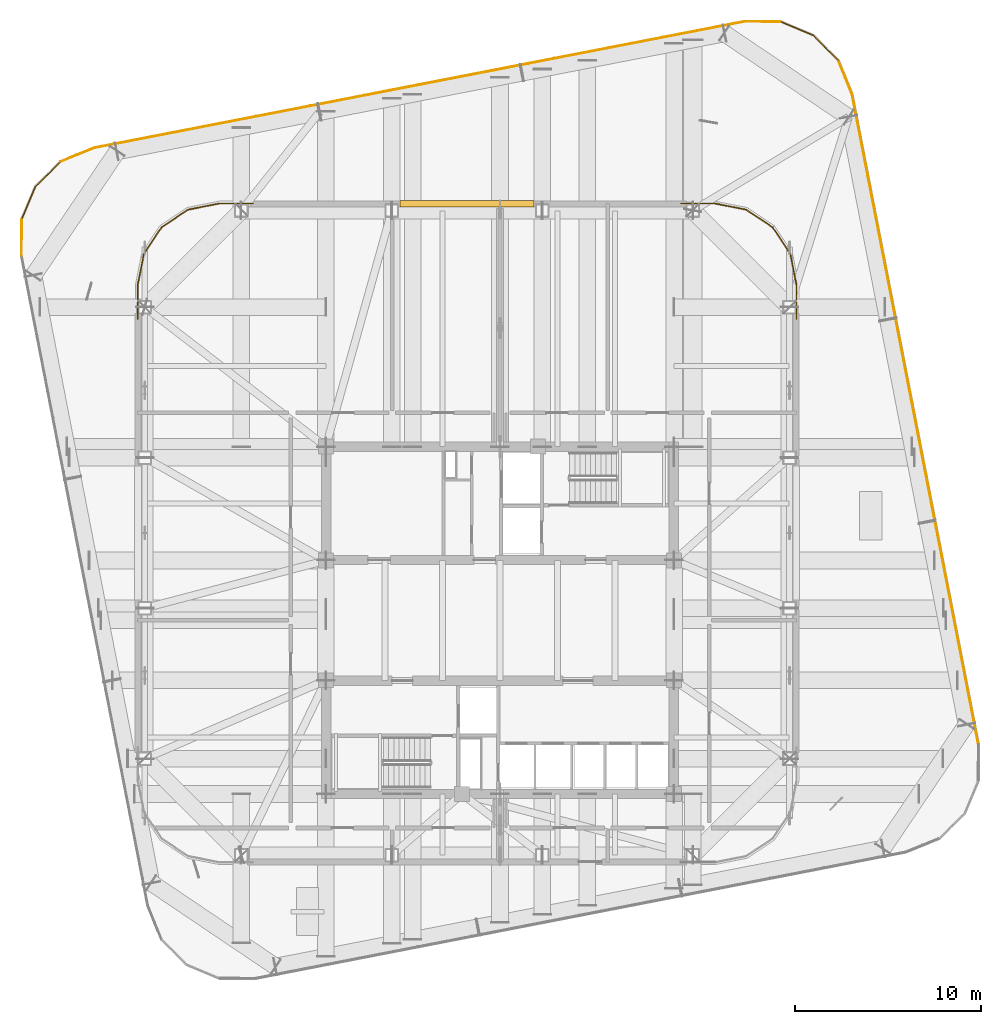
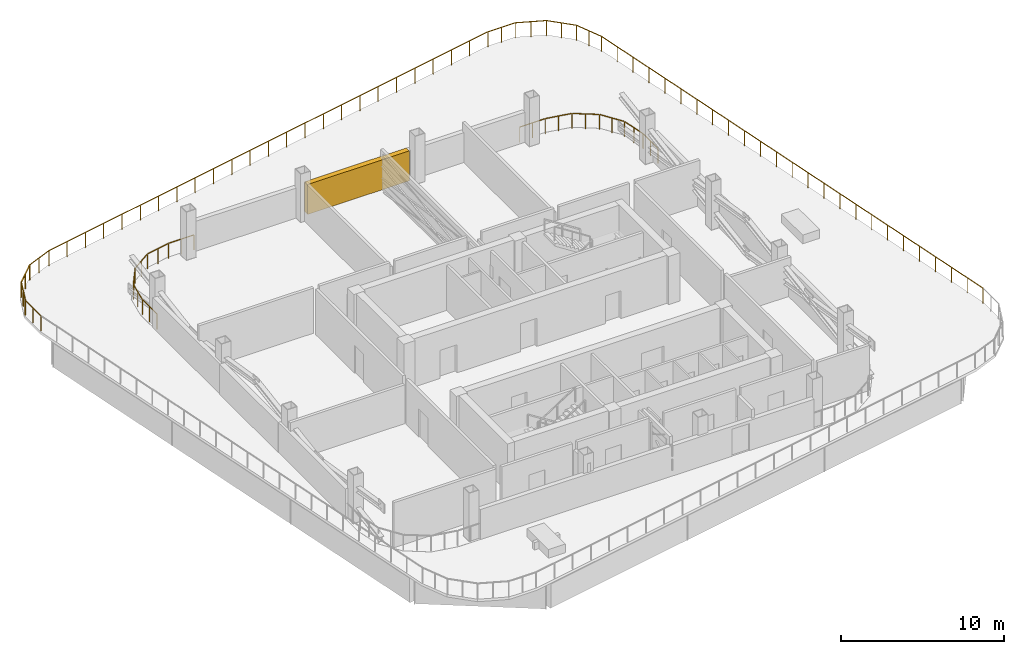
# One storey, part 14 of 14: 12 railings, 1 shading device.
"""IFC4 building model written with IfcOpenShell, lengths in metres."""

from ifc_helpers import new_model, si_unit, direction, frame, origin, origin_2d, place, context, subcontext, project, spatial, rectangle, extrude, material, type_object, element, save


model = new_model("IFC4")

# Units and contexts
model_context = context("Model", 3, precision=1e-05, world=origin(), true_north=direction((0.0, 1.0)))
body_context = subcontext(model_context, "Body", "Model", "MODEL_VIEW")
ifc_project = project(units=[si_unit("LENGTHUNIT", "METRE"), si_unit("AREAUNIT", "SQUARE_METRE"), si_unit("VOLUMEUNIT", "CUBIC_METRE"), si_unit("PLANEANGLEUNIT", "RADIAN"), si_unit("MASSUNIT", "GRAM", prefix="KILO")], contexts=[model_context])

# Site, building, storey
site_placement = place(None, origin())
site = spatial("IfcSite", under=ifc_project, at=site_placement, CompositionType="ELEMENT")
building_placement = place(site_placement, origin())
building = spatial("IfcBuilding", under=site, at=building_placement, Name="Qhalaya Broadcast Tower", CompositionType="ELEMENT")
storey_placement = place(building_placement, frame((0.0, 0.0, 144.60009765625)))
storey = spatial("IfcBuildingStorey", under=building, at=storey_placement, Name="L42", CompositionType="ELEMENT", Elevation=144.60009765625)

# Shading device
ifc_material_1 = material(Name="Fired Architectural Terracotta", Category="masonry")
shading_device_type = type_object("IfcShadingDeviceType", Name="Plant & Turbine-Slot Acoustic Louvre Screen LVS-01", PredefinedType="USERDEFINED", material=ifc_material_1)
shading_device_placement = place(storey_placement, frame((-1.77001953125, 23.02001953125, 0.0), z_axis=(0.0, 0.0, 1.0), x_axis=(1.0, 0.0, 0.0)))
element("IfcShadingDevice", 1, at=shading_device_placement, inside=storey, type_object=shading_device_type, Name="L42 Plant Acoustic Louvre Screen N", ObjectType="LOUVRE", PredefinedType="USERDEFINED", context=body_context, shape_type="SweptSolid", body=[
    extrude(rectangle(XDim=7.199951171875, YDim=0.360107421875, at=origin_2d()), origin(), (0.0, 0.0, 1.0), 2.241943359375),
])

# Railings
ifc_material_2 = material(Name="Powder-Coated Galvanised Steel", Category="steel")
railing_type = type_object("IfcRailingType", Name="Terrace, Sky-Pool & Lookout Glass Balustrade 1150", PredefinedType="BALUSTRADE", material=ifc_material_2)
railing_1_placement = place(storey_placement, frame((-25.756103515625, 20.24951171875, 0.0)))
element("IfcRailing", 2, at=railing_1_placement, inside=storey, type_object=railing_type, Name="L42 Perimeter Safety Balustrade BAL-TER1-07", PredefinedType="BALUSTRADE", context=body_context, shape_type="SweptSolid", body=[
    extrude(rectangle(XDim=0.048095703125, YDim=0.048095703125, at=origin_2d()), frame((0.0, 0.0, 1.1259765625), z_axis=(0.004307574377, 0.999990722358, 0.0), x_axis=(-0.999990722358, 0.004307574377, 0.0)), (0.0, 0.0, 1.0), 1.927001953125),
    extrude(rectangle(XDim=0.0419921875, YDim=0.0419921875, at=origin_2d()), origin(), (0.0, 0.0, 1.0), 1.099853515625),
    extrude(rectangle(XDim=0.0419921875, YDim=0.0419921875, at=origin_2d()), frame((0.004150390625, 0.96337890625, 0.0)), (0.0, 0.0, 1.0), 1.099853515625),
    extrude(rectangle(XDim=0.0419921875, YDim=0.0419921875, at=origin_2d()), frame((0.00830078125, 1.927001953125, 0.0)), (0.0, 0.0, 1.0), 1.099853515625),
])
railing_2_placement = place(storey_placement, frame((-25.747802734375, 22.176513671875, 0.0)))
element("IfcRailing", 3, at=railing_2_placement, inside=storey, type_object=railing_type, Name="L42 Perimeter Safety Balustrade BAL-TER1-08", PredefinedType="BALUSTRADE", context=body_context, shape_type="SweptSolid", body=[
    extrude(rectangle(XDim=0.048095703125, YDim=0.048095703125, at=origin_2d()), frame((0.0, 0.0, 1.1259765625), z_axis=(0.386691780057, 0.92220901494, 0.0), x_axis=(-0.92220901494, 0.386691780057, 0.0)), (0.0, 0.0, 1.0), 1.91943359375),
    extrude(rectangle(XDim=0.0419921875, YDim=0.0419921875, at=origin_2d()), origin(), (0.0, 0.0, 1.0), 1.099853515625),
    extrude(rectangle(XDim=0.0419921875, YDim=0.0419921875, at=origin_2d()), frame((0.37109375, 0.885009765625, 0.0)), (0.0, 0.0, 1.0), 1.099853515625),
    extrude(rectangle(XDim=0.0419921875, YDim=0.0419921875, at=origin_2d()), frame((0.7421875, 1.77001953125, 0.0)), (0.0, 0.0, 1.0), 1.099853515625),
])
railing_3_placement = place(storey_placement, frame((-25.005615234375, 23.946533203125, 0.0)))
element("IfcRailing", 4, at=railing_3_placement, inside=storey, type_object=railing_type, Name="L42 Perimeter Safety Balustrade BAL-TER1-09", PredefinedType="BALUSTRADE", context=body_context, shape_type="SweptSolid", body=[
    extrude(rectangle(XDim=0.048095703125, YDim=0.048095703125, at=origin_2d()), frame((0.0, 0.0, 1.1259765625), z_axis=(0.710216571413, 0.703983253842, 0.0), x_axis=(-0.703983253842, 0.710216571413, 0.0)), (0.0, 0.0, 1.0), 1.919189453125),
    extrude(rectangle(XDim=0.0419921875, YDim=0.0419921875, at=origin_2d()), origin(), (0.0, 0.0, 1.0), 1.099853515625),
    extrude(rectangle(XDim=0.0419921875, YDim=0.0419921875, at=origin_2d()), frame((0.681640625, 0.675537109375, 0.0)), (0.0, 0.0, 1.0), 1.099853515625),
    extrude(rectangle(XDim=0.0419921875, YDim=0.0419921875, at=origin_2d()), frame((1.363037109375, 1.35107421875, 0.0)), (0.0, 0.0, 1.0), 1.099853515625),
])
railing_4_placement = place(storey_placement, frame((-23.642578125, 25.297607421875, 0.0)))
element("IfcRailing", 5, at=railing_4_placement, inside=storey, type_object=railing_type, Name="L42 Perimeter Safety Balustrade BAL-TER1-10", PredefinedType="BALUSTRADE", context=body_context, shape_type="SweptSolid", body=[
    extrude(rectangle(XDim=0.048095703125, YDim=0.048095703125, at=origin_2d()), frame((0.0, 0.0, 1.1259765625), z_axis=(0.925583276677, 0.378544050193, 0.0), x_axis=(-0.378544050193, 0.925583276677, 0.0)), (0.0, 0.0, 1.0), 1.927001953125),
    extrude(rectangle(XDim=0.0419921875, YDim=0.0419921875, at=origin_2d()), origin(), (0.0, 0.0, 1.0), 1.099853515625),
    extrude(rectangle(XDim=0.0419921875, YDim=0.0419921875, at=origin_2d()), frame((0.891845703125, 0.36474609375, 0.0)), (0.0, 0.0, 1.0), 1.099853515625),
    extrude(rectangle(XDim=0.0419921875, YDim=0.0419921875, at=origin_2d()), frame((1.78369140625, 0.7294921875, 0.0)), (0.0, 0.0, 1.0), 1.099853515625),
])
railing_5_placement = place(storey_placement, frame((-21.85888671875, 26.027099609375, 0.0)))
element("IfcRailing", 6, at=railing_5_placement, inside=storey, type_object=railing_type, Name="L42 Perimeter Safety Balustrade BAL-TER1-11", PredefinedType="BALUSTRADE", context=body_context, shape_type="SweptSolid", body=[
    extrude(rectangle(XDim=0.048095703125, YDim=0.048095703125, at=origin_2d()), frame((0.0, 0.0, 1.1259765625), z_axis=(0.981626034736, 0.190814904889, 0.0), x_axis=(-0.190814904889, 0.981626034736, 0.0)), (0.0, 0.0, 1.0), 35.684326171875),
    extrude(rectangle(XDim=0.0419921875, YDim=0.0419921875, at=origin_2d()), origin(), (0.0, 0.0, 1.0), 1.099853515625),
    extrude(rectangle(XDim=0.0419921875, YDim=0.0419921875, at=origin_2d()), frame((1.45947265625, 0.28369140625, 0.0)), (0.0, 0.0, 1.0), 1.099853515625),
    extrude(rectangle(XDim=0.0419921875, YDim=0.0419921875, at=origin_2d()), frame((2.9189453125, 0.5673828125, 0.0)), (0.0, 0.0, 1.0), 1.099853515625),
    extrude(rectangle(XDim=0.0419921875, YDim=0.0419921875, at=origin_2d()), frame((4.378662109375, 0.85107421875, 0.0)), (0.0, 0.0, 1.0), 1.099853515625),
    extrude(rectangle(XDim=0.0419921875, YDim=0.0419921875, at=origin_2d()), frame((5.838134765625, 1.134765625, 0.0)), (0.0, 0.0, 1.0), 1.099853515625),
    extrude(rectangle(XDim=0.0419921875, YDim=0.0419921875, at=origin_2d()), frame((7.297607421875, 1.41845703125, 0.0)), (0.0, 0.0, 1.0), 1.099853515625),
    extrude(rectangle(XDim=0.0419921875, YDim=0.0419921875, at=origin_2d()), frame((8.757080078125, 1.7021484375, 0.0)), (0.0, 0.0, 1.0), 1.099853515625),
    extrude(rectangle(XDim=0.0419921875, YDim=0.0419921875, at=origin_2d()), frame((10.216552734375, 1.986083984375, 0.0)), (0.0, 0.0, 1.0), 1.099853515625),
    extrude(rectangle(XDim=0.0419921875, YDim=0.0419921875, at=origin_2d()), frame((11.67626953125, 2.269775390625, 0.0)), (0.0, 0.0, 1.0), 1.099853515625),
    extrude(rectangle(XDim=0.0419921875, YDim=0.0419921875, at=origin_2d()), frame((13.1357421875, 2.553466796875, 0.0)), (0.0, 0.0, 1.0), 1.099853515625),
    extrude(rectangle(XDim=0.0419921875, YDim=0.0419921875, at=origin_2d()), frame((14.59521484375, 2.837158203125, 0.0)), (0.0, 0.0, 1.0), 1.099853515625),
    extrude(rectangle(XDim=0.0419921875, YDim=0.0419921875, at=origin_2d()), frame((16.0546875, 3.120849609375, 0.0)), (0.0, 0.0, 1.0), 1.099853515625),
    extrude(rectangle(XDim=0.0419921875, YDim=0.0419921875, at=origin_2d()), frame((17.51416015625, 3.404541015625, 0.0)), (0.0, 0.0, 1.0), 1.099853515625),
    extrude(rectangle(XDim=0.0419921875, YDim=0.0419921875, at=origin_2d()), frame((18.973876953125, 3.688232421875, 0.0)), (0.0, 0.0, 1.0), 1.099853515625),
    extrude(rectangle(XDim=0.0419921875, YDim=0.0419921875, at=origin_2d()), frame((20.433349609375, 3.971923828125, 0.0)), (0.0, 0.0, 1.0), 1.099853515625),
    extrude(rectangle(XDim=0.0419921875, YDim=0.0419921875, at=origin_2d()), frame((21.892822265625, 4.255615234375, 0.0)), (0.0, 0.0, 1.0), 1.099853515625),
    extrude(rectangle(XDim=0.0419921875, YDim=0.0419921875, at=origin_2d()), frame((23.352294921875, 4.539306640625, 0.0)), (0.0, 0.0, 1.0), 1.099853515625),
    extrude(rectangle(XDim=0.0419921875, YDim=0.0419921875, at=origin_2d()), frame((24.81201171875, 4.822998046875, 0.0)), (0.0, 0.0, 1.0), 1.099853515625),
    extrude(rectangle(XDim=0.0419921875, YDim=0.0419921875, at=origin_2d()), frame((26.271484375, 5.10693359375, 0.0)), (0.0, 0.0, 1.0), 1.099853515625),
    extrude(rectangle(XDim=0.0419921875, YDim=0.0419921875, at=origin_2d()), frame((27.73095703125, 5.390625, 0.0)), (0.0, 0.0, 1.0), 1.099853515625),
    extrude(rectangle(XDim=0.0419921875, YDim=0.0419921875, at=origin_2d()), frame((29.1904296875, 5.67431640625, 0.0)), (0.0, 0.0, 1.0), 1.099853515625),
    extrude(rectangle(XDim=0.0419921875, YDim=0.0419921875, at=origin_2d()), frame((30.64990234375, 5.9580078125, 0.0)), (0.0, 0.0, 1.0), 1.099853515625),
    extrude(rectangle(XDim=0.0419921875, YDim=0.0419921875, at=origin_2d()), frame((32.109619140625, 6.24169921875, 0.0)), (0.0, 0.0, 1.0), 1.099853515625),
    extrude(rectangle(XDim=0.0419921875, YDim=0.0419921875, at=origin_2d()), frame((33.569091796875, 6.525390625, 0.0)), (0.0, 0.0, 1.0), 1.099853515625),
    extrude(rectangle(XDim=0.0419921875, YDim=0.0419921875, at=origin_2d()), frame((35.028564453125, 6.80908203125, 0.0)), (0.0, 0.0, 1.0), 1.099853515625),
])
railing_6_placement = place(storey_placement, frame((13.169677734375, 32.836181640625, 0.0)))
element("IfcRailing", 7, at=railing_6_placement, inside=storey, type_object=railing_type, Name="L42 Perimeter Safety Balustrade BAL-TER1-12", PredefinedType="BALUSTRADE", context=body_context, shape_type="SweptSolid", body=[
    extrude(rectangle(XDim=0.048095703125, YDim=0.048095703125, at=origin_2d()), frame((0.0, 0.0, 1.1259765625), z_axis=(0.999990168597, -0.004434265286, 0.0), x_axis=(0.004434265286, 0.999990168597, 0.0)), (0.0, 0.0, 1.0), 1.927001953125),
    extrude(rectangle(XDim=0.0419921875, YDim=0.0419921875, at=origin_2d()), origin(), (0.0, 0.0, 1.0), 1.099853515625),
    extrude(rectangle(XDim=0.0419921875, YDim=0.0419921875, at=origin_2d()), frame((0.96337890625, -0.00439453125, 0.0)), (0.0, 0.0, 1.0), 1.099853515625),
    extrude(rectangle(XDim=0.0419921875, YDim=0.0419921875, at=origin_2d()), frame((1.927001953125, -0.008544921875, 0.0)), (0.0, 0.0, 1.0), 1.099853515625),
])
railing_7_placement = place(storey_placement, frame((15.0966796875, 32.82763671875, 0.0)))
element("IfcRailing", 8, at=railing_7_placement, inside=storey, type_object=railing_type, Name="L42 Perimeter Safety Balustrade BAL-TER1-13", PredefinedType="BALUSTRADE", context=body_context, shape_type="SweptSolid", body=[
    extrude(rectangle(XDim=0.048095703125, YDim=0.048095703125, at=origin_2d()), frame((0.0, 0.0, 1.1259765625), z_axis=(0.922235358033, -0.386628949243, 0.0), x_axis=(0.386628949243, 0.922235358033, 0.0)), (0.0, 0.0, 1.0), 1.9189453125),
    extrude(rectangle(XDim=0.0419921875, YDim=0.0419921875, at=origin_2d()), origin(), (0.0, 0.0, 1.0), 1.099853515625),
    extrude(rectangle(XDim=0.0419921875, YDim=0.0419921875, at=origin_2d()), frame((0.884765625, -0.37109375, 0.0)), (0.0, 0.0, 1.0), 1.099853515625),
    extrude(rectangle(XDim=0.0419921875, YDim=0.0419921875, at=origin_2d()), frame((1.769775390625, -0.741943359375, 0.0)), (0.0, 0.0, 1.0), 1.099853515625),
])
railing_8_placement = place(storey_placement, frame((16.866455078125, 32.085693359375, 0.0)))
element("IfcRailing", 9, at=railing_8_placement, inside=storey, type_object=railing_type, Name="L42 Perimeter Safety Balustrade BAL-TER1-14", PredefinedType="BALUSTRADE", context=body_context, shape_type="SweptSolid", body=[
    extrude(rectangle(XDim=0.048095703125, YDim=0.048095703125, at=origin_2d()), frame((0.0, 0.0, 1.1259765625), z_axis=(0.703983253842, -0.710216571413, 0.0), x_axis=(0.710216571413, 0.703983253842, 0.0)), (0.0, 0.0, 1.0), 1.919189453125),
    extrude(rectangle(XDim=0.0419921875, YDim=0.0419921875, at=origin_2d()), origin(), (0.0, 0.0, 1.0), 1.099853515625),
    extrude(rectangle(XDim=0.0419921875, YDim=0.0419921875, at=origin_2d()), frame((0.675537109375, -0.681640625, 0.0)), (0.0, 0.0, 1.0), 1.099853515625),
    extrude(rectangle(XDim=0.0419921875, YDim=0.0419921875, at=origin_2d()), frame((1.35107421875, -1.363037109375, 0.0)), (0.0, 0.0, 1.0), 1.099853515625),
])
railing_9_placement = place(storey_placement, frame((18.217529296875, 30.72265625, 0.0)))
element("IfcRailing", 10, at=railing_9_placement, inside=storey, type_object=railing_type, Name="L42 Perimeter Safety Balustrade BAL-TER1-15", PredefinedType="BALUSTRADE", context=body_context, shape_type="SweptSolid", body=[
    extrude(rectangle(XDim=0.048095703125, YDim=0.048095703125, at=origin_2d()), frame((0.0, 0.0, 1.1259765625), z_axis=(0.37865257664, -0.92553888422, 0.0), x_axis=(0.92553888422, 0.37865257664, 0.0)), (0.0, 0.0, 1.0), 1.92724609375),
    extrude(rectangle(XDim=0.0419921875, YDim=0.0419921875, at=origin_2d()), origin(), (0.0, 0.0, 1.0), 1.099853515625),
    extrude(rectangle(XDim=0.0419921875, YDim=0.0419921875, at=origin_2d()), frame((0.36474609375, -0.891845703125, 0.0)), (0.0, 0.0, 1.0), 1.099853515625),
    extrude(rectangle(XDim=0.0419921875, YDim=0.0419921875, at=origin_2d()), frame((0.729736328125, -1.78369140625, 0.0)), (0.0, 0.0, 1.0), 1.099853515625),
])
railing_10_placement = place(storey_placement, frame((18.947265625, 28.93896484375, 0.0)))
element("IfcRailing", 11, at=railing_10_placement, inside=storey, type_object=railing_type, Name="L42 Perimeter Safety Balustrade BAL-TER1-16", PredefinedType="BALUSTRADE", context=body_context, shape_type="SweptSolid", body=[
    extrude(rectangle(XDim=0.048095703125, YDim=0.048095703125, at=origin_2d()), frame((0.0, 0.0, 1.1259765625), z_axis=(0.190808312289, -0.981627316226, 0.0), x_axis=(0.981627316226, 0.190808312289, 0.0)), (0.0, 0.0, 1.0), 35.68408203125),
    extrude(rectangle(XDim=0.0419921875, YDim=0.0419921875, at=origin_2d()), origin(), (0.0, 0.0, 1.0), 1.099853515625),
    extrude(rectangle(XDim=0.0419921875, YDim=0.0419921875, at=origin_2d()), frame((0.28369140625, -1.45947265625, 0.0)), (0.0, 0.0, 1.0), 1.099853515625),
    extrude(rectangle(XDim=0.0419921875, YDim=0.0419921875, at=origin_2d()), frame((0.5673828125, -2.9189453125, 0.0)), (0.0, 0.0, 1.0), 1.099853515625),
    extrude(rectangle(XDim=0.0419921875, YDim=0.0419921875, at=origin_2d()), frame((0.85107421875, -4.378662109375, 0.0)), (0.0, 0.0, 1.0), 1.099853515625),
    extrude(rectangle(XDim=0.0419921875, YDim=0.0419921875, at=origin_2d()), frame((1.134765625, -5.838134765625, 0.0)), (0.0, 0.0, 1.0), 1.099853515625),
    extrude(rectangle(XDim=0.0419921875, YDim=0.0419921875, at=origin_2d()), frame((1.41845703125, -7.297607421875, 0.0)), (0.0, 0.0, 1.0), 1.099853515625),
    extrude(rectangle(XDim=0.0419921875, YDim=0.0419921875, at=origin_2d()), frame((1.7021484375, -8.757080078125, 0.0)), (0.0, 0.0, 1.0), 1.099853515625),
    extrude(rectangle(XDim=0.0419921875, YDim=0.0419921875, at=origin_2d()), frame((1.98583984375, -10.216552734375, 0.0)), (0.0, 0.0, 1.0), 1.099853515625),
    extrude(rectangle(XDim=0.0419921875, YDim=0.0419921875, at=origin_2d()), frame((2.26953125, -11.67626953125, 0.0)), (0.0, 0.0, 1.0), 1.099853515625),
    extrude(rectangle(XDim=0.0419921875, YDim=0.0419921875, at=origin_2d()), frame((2.55322265625, -13.1357421875, 0.0)), (0.0, 0.0, 1.0), 1.099853515625),
    extrude(rectangle(XDim=0.0419921875, YDim=0.0419921875, at=origin_2d()), frame((2.8369140625, -14.59521484375, 0.0)), (0.0, 0.0, 1.0), 1.099853515625),
    extrude(rectangle(XDim=0.0419921875, YDim=0.0419921875, at=origin_2d()), frame((3.12060546875, -16.0546875, 0.0)), (0.0, 0.0, 1.0), 1.099853515625),
    extrude(rectangle(XDim=0.0419921875, YDim=0.0419921875, at=origin_2d()), frame((3.404296875, -17.51416015625, 0.0)), (0.0, 0.0, 1.0), 1.099853515625),
    extrude(rectangle(XDim=0.0419921875, YDim=0.0419921875, at=origin_2d()), frame((3.688232421875, -18.973876953125, 0.0)), (0.0, 0.0, 1.0), 1.099853515625),
    extrude(rectangle(XDim=0.0419921875, YDim=0.0419921875, at=origin_2d()), frame((3.971923828125, -20.433349609375, 0.0)), (0.0, 0.0, 1.0), 1.099853515625),
    extrude(rectangle(XDim=0.0419921875, YDim=0.0419921875, at=origin_2d()), frame((4.255615234375, -21.892822265625, 0.0)), (0.0, 0.0, 1.0), 1.099853515625),
    extrude(rectangle(XDim=0.0419921875, YDim=0.0419921875, at=origin_2d()), frame((4.539306640625, -23.352294921875, 0.0)), (0.0, 0.0, 1.0), 1.099853515625),
    extrude(rectangle(XDim=0.0419921875, YDim=0.0419921875, at=origin_2d()), frame((4.822998046875, -24.81201171875, 0.0)), (0.0, 0.0, 1.0), 1.099853515625),
    extrude(rectangle(XDim=0.0419921875, YDim=0.0419921875, at=origin_2d()), frame((5.106689453125, -26.271484375, 0.0)), (0.0, 0.0, 1.0), 1.099853515625),
    extrude(rectangle(XDim=0.0419921875, YDim=0.0419921875, at=origin_2d()), frame((5.390380859375, -27.73095703125, 0.0)), (0.0, 0.0, 1.0), 1.099853515625),
    extrude(rectangle(XDim=0.0419921875, YDim=0.0419921875, at=origin_2d()), frame((5.674072265625, -29.1904296875, 0.0)), (0.0, 0.0, 1.0), 1.099853515625),
    extrude(rectangle(XDim=0.0419921875, YDim=0.0419921875, at=origin_2d()), frame((5.957763671875, -30.64990234375, 0.0)), (0.0, 0.0, 1.0), 1.099853515625),
    extrude(rectangle(XDim=0.0419921875, YDim=0.0419921875, at=origin_2d()), frame((6.241455078125, -32.109619140625, 0.0)), (0.0, 0.0, 1.0), 1.099853515625),
    extrude(rectangle(XDim=0.0419921875, YDim=0.0419921875, at=origin_2d()), frame((6.525146484375, -33.569091796875, 0.0)), (0.0, 0.0, 1.0), 1.099853515625),
    extrude(rectangle(XDim=0.0419921875, YDim=0.0419921875, at=origin_2d()), frame((6.808837890625, -35.028564453125, 0.0)), (0.0, 0.0, 1.0), 1.099853515625),
])
railing_11_placement = place(storey_placement, frame((-19.5, 16.842041015625, 0.0)))
element("IfcRailing", 12, at=railing_11_placement, inside=storey, type_object=railing_type, Name="L42 Rounded Corner Perimeter Guard 03", PredefinedType="BALUSTRADE", context=body_context, shape_type="SweptSolid", body=[
    extrude(rectangle(XDim=0.048095703125, YDim=0.048095703125, at=origin_2d()), frame((0.0, 0.0, 1.1259765625), z_axis=(0.0, 1.0, 0.0), x_axis=(-1.0, 0.0, 0.0)), (0.0, 0.0, 1.0), 1.77734375),
    extrude(rectangle(XDim=0.048095703125, YDim=0.048095703125, at=origin_2d()), frame((0.005615234375, 1.83447265625, 1.1259765625), z_axis=(0.195024175165, 0.980798435511, 0.0), x_axis=(-0.980798435511, 0.195024175165, 0.0)), (0.0, 0.0, 1.0), 1.662353515625),
    extrude(rectangle(XDim=0.048095703125, YDim=0.048095703125, at=origin_2d()), frame((0.3515625, 3.51708984375, 1.1259765625), z_axis=(0.555524454036, 0.831500199018, 0.0), x_axis=(-0.831500199018, 0.555524454036, 0.0)), (0.0, 0.0, 1.0), 1.650634765625),
    extrude(rectangle(XDim=0.048095703125, YDim=0.048095703125, at=origin_2d()), frame((1.308349609375, 4.9296875, 1.1259765625), z_axis=(0.831456085426, 0.555590476887, 0.0), x_axis=(-0.555590476887, 0.831456085426, 0.0)), (0.0, 0.0, 1.0), 1.650390625),
    extrude(rectangle(XDim=0.048095703125, YDim=0.048095703125, at=origin_2d()), frame((2.73291015625, 5.8681640625, 1.1259765625), z_axis=(0.980803832953, 0.194997028864, 0.0), x_axis=(-0.194997028864, 0.980803832953, 0.0)), (0.0, 0.0, 1.0), 1.66259765625),
    extrude(rectangle(XDim=0.048095703125, YDim=0.048095703125, at=origin_2d()), frame((4.420654296875, 6.197998046875, 1.1259765625), z_axis=(1.0, 0.0, 0.0), x_axis=(0.0, 1.0, 0.0)), (0.0, 0.0, 1.0), 1.77734375),
    extrude(rectangle(XDim=0.0419921875, YDim=0.0419921875, at=origin_2d()), origin(), (0.0, 0.0, 1.0), 1.099853515625),
    extrude(rectangle(XDim=0.0419921875, YDim=0.0419921875, at=origin_2d()), frame((0.0, 0.903076171875, 0.0)), (0.0, 0.0, 1.0), 1.099853515625),
    extrude(rectangle(XDim=0.0419921875, YDim=0.0419921875, at=origin_2d()), frame((0.0, 1.80615234375, 0.0)), (0.0, 0.0, 1.0), 1.099853515625),
    extrude(rectangle(XDim=0.0419921875, YDim=0.0419921875, at=origin_2d()), frame((0.167724609375, 2.649658203125, 0.0)), (0.0, 0.0, 1.0), 1.099853515625),
    extrude(rectangle(XDim=0.0419921875, YDim=0.0419921875, at=origin_2d()), frame((0.33544921875, 3.4931640625, 0.0)), (0.0, 0.0, 1.0), 1.099853515625),
    extrude(rectangle(XDim=0.0419921875, YDim=0.0419921875, at=origin_2d()), frame((0.81005859375, 4.203369140625, 0.0)), (0.0, 0.0, 1.0), 1.099853515625),
    extrude(rectangle(XDim=0.0419921875, YDim=0.0419921875, at=origin_2d()), frame((1.284423828125, 4.91357421875, 0.0)), (0.0, 0.0, 1.0), 1.099853515625),
    extrude(rectangle(XDim=0.0419921875, YDim=0.0419921875, at=origin_2d()), frame((1.99462890625, 5.38818359375, 0.0)), (0.0, 0.0, 1.0), 1.099853515625),
    extrude(rectangle(XDim=0.0419921875, YDim=0.0419921875, at=origin_2d()), frame((2.70458984375, 5.862548828125, 0.0)), (0.0, 0.0, 1.0), 1.099853515625),
    extrude(rectangle(XDim=0.0419921875, YDim=0.0419921875, at=origin_2d()), frame((3.54833984375, 6.0302734375, 0.0)), (0.0, 0.0, 1.0), 1.099853515625),
    extrude(rectangle(XDim=0.0419921875, YDim=0.0419921875, at=origin_2d()), frame((4.391845703125, 6.197998046875, 0.0)), (0.0, 0.0, 1.0), 1.099853515625),
    extrude(rectangle(XDim=0.0419921875, YDim=0.0419921875, at=origin_2d()), frame((5.294921875, 6.197998046875, 0.0)), (0.0, 0.0, 1.0), 1.099853515625),
    extrude(rectangle(XDim=0.0419921875, YDim=0.0419921875, at=origin_2d()), frame((6.197998046875, 6.197998046875, 0.0)), (0.0, 0.0, 1.0), 1.099853515625),
])
railing_12_placement = place(storey_placement, frame((9.761962890625, 23.0400390625, 0.0)))
element("IfcRailing", 13, at=railing_12_placement, inside=storey, type_object=railing_type, Name="L42 Rounded Corner Perimeter Guard 04", PredefinedType="BALUSTRADE", context=body_context, shape_type="SweptSolid", body=[
    extrude(rectangle(XDim=0.048095703125, YDim=0.048095703125, at=origin_2d()), frame((0.0, 0.0, 1.1259765625), z_axis=(1.0, 0.0, 0.0), x_axis=(0.0, 1.0, 0.0)), (0.0, 0.0, 1.0), 1.77734375),
    extrude(rectangle(XDim=0.048095703125, YDim=0.048095703125, at=origin_2d()), frame((1.83447265625, -0.005615234375, 1.1259765625), z_axis=(0.980803832953, -0.194997028864, 0.0), x_axis=(0.194997028864, 0.980803832953, 0.0)), (0.0, 0.0, 1.0), 1.66259765625),
    extrude(rectangle(XDim=0.048095703125, YDim=0.048095703125, at=origin_2d()), frame((3.517333984375, -0.3515625, 1.1259765625), z_axis=(0.831456085426, -0.555590476887, 0.0), x_axis=(0.555590476887, 0.831456085426, 0.0)), (0.0, 0.0, 1.0), 1.650390625),
    extrude(rectangle(XDim=0.048095703125, YDim=0.048095703125, at=origin_2d()), frame((4.9296875, -1.308349609375, 1.1259765625), z_axis=(0.555524454036, -0.831500199018, 0.0), x_axis=(0.831500199018, 0.555524454036, 0.0)), (0.0, 0.0, 1.0), 1.650634765625),
    extrude(rectangle(XDim=0.048095703125, YDim=0.048095703125, at=origin_2d()), frame((5.8681640625, -2.733154296875, 1.1259765625), z_axis=(0.195024175165, -0.980798435511, 0.0), x_axis=(0.980798435511, 0.195024175165, 0.0)), (0.0, 0.0, 1.0), 1.662353515625),
    extrude(rectangle(XDim=0.048095703125, YDim=0.048095703125, at=origin_2d()), frame((6.197998046875, -4.420654296875, 1.1259765625), z_axis=(0.0, -1.0, 0.0), x_axis=(1.0, 0.0, 0.0)), (0.0, 0.0, 1.0), 1.77734375),
    extrude(rectangle(XDim=0.0419921875, YDim=0.0419921875, at=origin_2d()), origin(), (0.0, 0.0, 1.0), 1.099853515625),
    extrude(rectangle(XDim=0.0419921875, YDim=0.0419921875, at=origin_2d()), frame((0.903076171875, 0.0, 0.0)), (0.0, 0.0, 1.0), 1.099853515625),
    extrude(rectangle(XDim=0.0419921875, YDim=0.0419921875, at=origin_2d()), frame((1.80615234375, 0.0, 0.0)), (0.0, 0.0, 1.0), 1.099853515625),
    extrude(rectangle(XDim=0.0419921875, YDim=0.0419921875, at=origin_2d()), frame((2.64990234375, -0.167724609375, 0.0)), (0.0, 0.0, 1.0), 1.099853515625),
    extrude(rectangle(XDim=0.0419921875, YDim=0.0419921875, at=origin_2d()), frame((3.493408203125, -0.33544921875, 0.0)), (0.0, 0.0, 1.0), 1.099853515625),
    extrude(rectangle(XDim=0.0419921875, YDim=0.0419921875, at=origin_2d()), frame((4.20361328125, -0.81005859375, 0.0)), (0.0, 0.0, 1.0), 1.099853515625),
    extrude(rectangle(XDim=0.0419921875, YDim=0.0419921875, at=origin_2d()), frame((4.91357421875, -1.284423828125, 0.0)), (0.0, 0.0, 1.0), 1.099853515625),
    extrude(rectangle(XDim=0.0419921875, YDim=0.0419921875, at=origin_2d()), frame((5.38818359375, -1.99462890625, 0.0)), (0.0, 0.0, 1.0), 1.099853515625),
    extrude(rectangle(XDim=0.0419921875, YDim=0.0419921875, at=origin_2d()), frame((5.862548828125, -2.704833984375, 0.0)), (0.0, 0.0, 1.0), 1.099853515625),
    extrude(rectangle(XDim=0.0419921875, YDim=0.0419921875, at=origin_2d()), frame((6.0302734375, -3.54833984375, 0.0)), (0.0, 0.0, 1.0), 1.099853515625),
    extrude(rectangle(XDim=0.0419921875, YDim=0.0419921875, at=origin_2d()), frame((6.197998046875, -4.391845703125, 0.0)), (0.0, 0.0, 1.0), 1.099853515625),
    extrude(rectangle(XDim=0.0419921875, YDim=0.0419921875, at=origin_2d()), frame((6.197998046875, -5.294921875, 0.0)), (0.0, 0.0, 1.0), 1.099853515625),
    extrude(rectangle(XDim=0.0419921875, YDim=0.0419921875, at=origin_2d()), frame((6.197998046875, -6.197998046875, 0.0)), (0.0, 0.0, 1.0), 1.099853515625),
])

save(model, "model.ifc")
